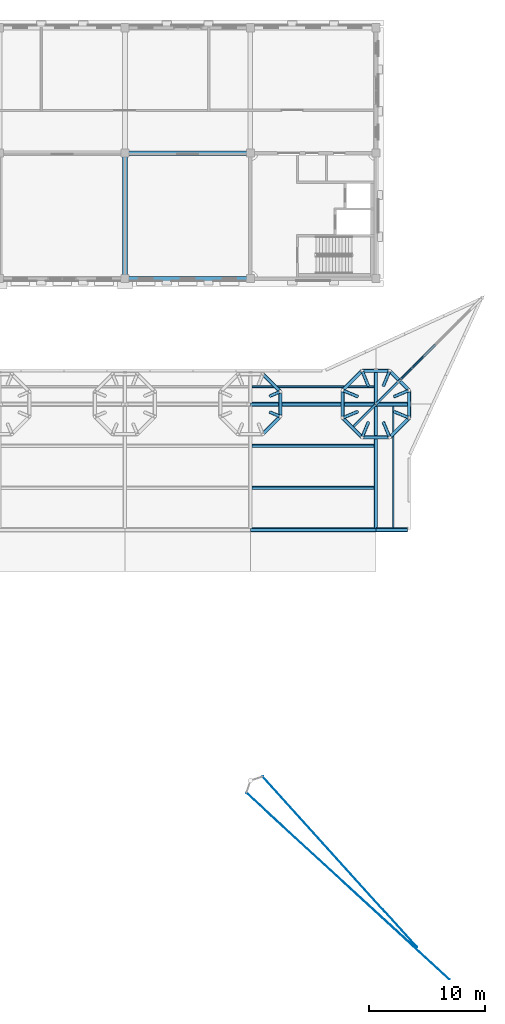
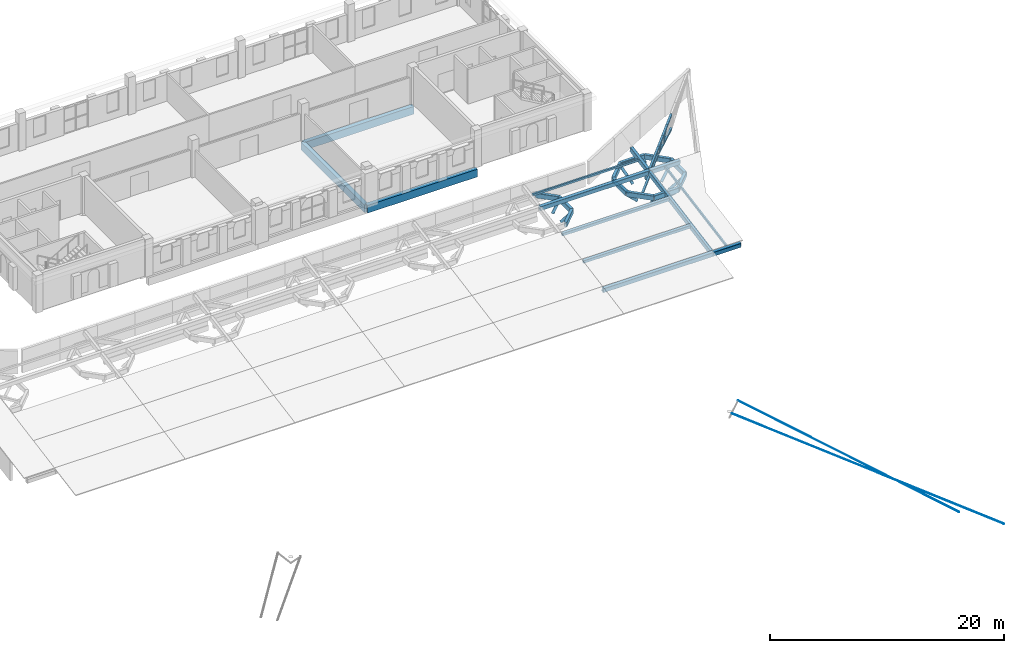
# One storey, part 6 of 32: 24 beams, 22 members.
"""IFC4 building model written with IfcOpenShell, lengths in metres."""

from ifc_helpers import new_model, si_unit, direction, frame, origin, origin_2d, place, context, subcontext, project, spatial, rectangle, hollow_rectangle, circle, hollow_circle, extrude, clip, halfspace, material, material_profile, profile_set, type_object, element, save


model = new_model("IFC4")

# Units and contexts
model_context = context("Model", 3, precision=1e-05, world=origin(), true_north=direction((0.0, 1.0)))
body_context = subcontext(model_context, "Body", "Model", "MODEL_VIEW")
ifc_project = project(units=[si_unit("LENGTHUNIT", "METRE"), si_unit("AREAUNIT", "SQUARE_METRE"), si_unit("VOLUMEUNIT", "CUBIC_METRE"), si_unit("PLANEANGLEUNIT", "RADIAN"), si_unit("MASSUNIT", "GRAM", prefix="KILO")], contexts=[model_context])

# Site, building, storey
site_placement = place(None, origin())
site = spatial("IfcSite", under=ifc_project, at=site_placement, CompositionType="ELEMENT")
building_placement = place(site_placement, origin())
building = spatial("IfcBuilding", under=site, at=building_placement, Name="Magnolia Steps Interchange", CompositionType="ELEMENT")
storey_placement = place(building_placement, frame((0.0, 0.0, 16.5)))
storey = spatial("IfcBuildingStorey", under=building, at=storey_placement, Name="L04", CompositionType="ELEMENT", Elevation=16.5)

# Members
ifc_material_1 = material(Name="Steel S690 galvanised spiral strand rope", Category="steel")
ifc_material_profile_1 = material_profile(ifc_material_1, circle(Radius=0.030029296875, at=origin_2d()), Name="CABLE60")
ifc_profile_set_1 = profile_set([ifc_material_profile_1], Name="Steel S690 galvanised spiral strand rope")
member_type_1 = type_object("IfcMemberType", Name="Cable stay CABLE60", PredefinedType="USERDEFINED", material=ifc_profile_set_1)
member_1_placement = place(storey_placement, frame((108.2607421875, 53.5537109375, 1.098876953125), z_axis=(0.628672593949, -0.695594687605, -0.347733806514), x_axis=(0.741893831984, 0.67051736895, 0.0)))
element("IfcMember", 1, at=member_1_placement, inside=storey, type_object=member_type_1, Name="Stay cable SP-H-SE-1", ObjectType="Cable stay", PredefinedType="USERDEFINED", context=body_context, shape_type="SweptSolid", body=[
    extrude(circle(Radius=0.030029296875, at=origin_2d()), origin(), (0.0, 0.0, 1.0), 21.133544921875),
])
member_2_placement = place(storey_placement, frame((106.846435546875, 52.139404296875, 1.098876953125), z_axis=(0.698993141847, -0.642513575462, -0.313982313193), x_axis=(0.676736953648, 0.736224894694, 0.0)))
element("IfcMember", 2, at=member_2_placement, inside=storey, type_object=member_type_1, Name="Stay cable SP-H-SE-2", ObjectType="Cable stay", PredefinedType="USERDEFINED", context=body_context, shape_type="SweptSolid", body=[
    extrude(circle(Radius=0.030029296875, at=origin_2d()), origin(), (0.0, 0.0, 1.0), 25.03662109375),
])

# Beams
ifc_material_2 = material(Name="Concrete C40", Category="concrete")
ifc_material_profile_2 = material_profile(ifc_material_2, rectangle(XDim=0.39990234375, YDim=0.800048828125, at=origin_2d()), Name="RC400x800")
ifc_profile_set_2 = profile_set([ifc_material_profile_2], Name="Concrete C40")
beam_type_1 = type_object("IfcBeamType", Name="RC beam 400x800", PredefinedType="BEAM", material=ifc_profile_set_2)
for number, where, z_axis, x_axis, name in (
    (3, (96.39990234375, 96.39990234375, -0.699951171875), (1.0, 0.0, 0.0), (0.0, 1.0, 0.0), "Beam L04 I 9-10"),
    (4, (96.39990234375, 107.199951171875, -0.699951171875), (1.0, 0.0, 0.0), (0.0, 1.0, 0.0), "Beam L04 J 9-10"),
    (5, (96.39990234375, 96.39990234375, -0.699951171875), (0.0, 1.0, 0.0), (-1.0, 0.0, 0.0), "Beam L04 9 I-J"),
):
    element("IfcBeam", number, at=place(storey_placement, frame(where, z_axis=z_axis, x_axis=x_axis)), inside=storey, type_object=beam_type_1, Name=name, PredefinedType="BEAM", context=body_context, shape_type="SweptSolid", body=[
        extrude(rectangle(XDim=0.39990234375, YDim=0.800048828125, at=origin_2d()), origin(), (0.0, 0.0, 1.0), 10.800048828125),
    ])
ifc_material_3 = material(Name="Steel Q355B", Category="steel")
ifc_material_profile_3 = material_profile(ifc_material_3, hollow_rectangle(XDim=0.300048828125, YDim=0.5, WallThickness=0.01611328125, InnerFilletRadius=0.01611328125, OuterFilletRadius=0.031982421875, at=origin_2d()), Name="RHS500x300x16")
ifc_profile_set_3 = profile_set([ifc_material_profile_3], Name="Steel Q355B")
beam_type_2 = type_object("IfcBeamType", Name="Ring beam RHS500x300x16", PredefinedType="BEAM", material=ifc_profile_set_3)
for number, where, z_axis, x_axis, name in (
    (6, (109.780029296875, 86.668701171875, 1.55126953125), (-0.707106781187, 0.707106781187, 0.0), (-0.707106781187, -0.707106781187, 0.0), "Ring beam TH06E"),
    (7, (108.268798828125, 83.02001953125, 1.55126953125), (0.707106781187, 0.707106781187, 0.0), (-0.707106781187, 0.707106781187, 0.0), "Ring beam TH06E"),
):
    element("IfcBeam", number, at=place(storey_placement, frame(where, z_axis=z_axis, x_axis=x_axis)), inside=storey, type_object=beam_type_2, Name=name, PredefinedType="BEAM", context=body_context, shape_type="Clipping", body=[
        clip(clip(extrude(hollow_rectangle(XDim=0.300048828125, YDim=0.5, WallThickness=0.01611328125, InnerFilletRadius=0.01611328125, OuterFilletRadius=0.031982421875, at=origin_2d()), origin(), (0.0, 0.0, 1.0), 2.13720703125), halfspace(frame((0.0, 0.0, 0.0), z_axis=(0.382683433, 0.0, -0.923879532), x_axis=(0.923879532, 0.0, 0.382683433)), False)), halfspace(frame((0.0, 0.0, 2.137202625), z_axis=(0.382683433, 0.0, 0.923879532), x_axis=(0.923879532, 0.0, -0.382683433)), False)),
    ])
beam_1_placement = place(storey_placement, frame((109.780029296875, 84.53125, 1.55126953125), z_axis=(0.0, 1.0, 0.0), x_axis=(-1.0, 0.0, 0.0)))
element("IfcBeam", 8, at=beam_1_placement, inside=storey, type_object=beam_type_2, Name="Ring beam TH06E", PredefinedType="BEAM", context=body_context, shape_type="Clipping", body=[
    clip(clip(extrude(hollow_rectangle(XDim=0.300048828125, YDim=0.5, WallThickness=0.01611328125, InnerFilletRadius=0.01611328125, OuterFilletRadius=0.031982421875, at=origin_2d()), origin(), (0.0, 0.0, 1.0), 2.137451171875), halfspace(frame((0.0, 0.0, 0.0), z_axis=(0.382683432, 0.0, -0.923879533), x_axis=(0.923879533, 0.0, 0.382683432)), False)), halfspace(frame((0.0, 0.0, 2.137451172), z_axis=(0.382683432, 0.0, 0.923879533), x_axis=(0.923879533, 0.0, -0.382683432)), False)),
])
beam_2_placement = place(storey_placement, frame((120.864013671875, 86.786376953125, 1.55126953125), z_axis=(-0.707106781187, 0.707106781187, 0.0), x_axis=(-0.707106781187, -0.707106781187, 0.0)))
element("IfcBeam", 9, at=beam_2_placement, inside=storey, type_object=beam_type_2, Name="Ring beam TH07E", PredefinedType="BEAM", context=body_context, shape_type="Clipping", body=[
    clip(clip(extrude(hollow_rectangle(XDim=0.300048828125, YDim=0.5, WallThickness=0.01611328125, InnerFilletRadius=0.01611328125, OuterFilletRadius=0.031982421875, at=origin_2d()), origin(), (0.0, 0.0, 1.0), 2.37255859375), halfspace(frame((0.0, 0.0, 0.0), z_axis=(0.382683433, 0.0, -0.923879532), x_axis=(0.923879532, 0.0, 0.382683433)), False)), halfspace(frame((0.0, 0.0, 2.372674707), z_axis=(0.382683433, 0.0, 0.923879532), x_axis=(0.923879532, 0.0, -0.382683433)), False)),
])
beam_3_placement = place(storey_placement, frame((119.186279296875, 88.464111328125, 1.55126953125), z_axis=(-1.0, 0.0, 0.0), x_axis=(0.0, -1.0, 0.0)))
element("IfcBeam", 10, at=beam_3_placement, inside=storey, type_object=beam_type_2, Name="Ring beam TH07E", PredefinedType="BEAM", context=body_context, shape_type="Clipping", body=[
    clip(clip(extrude(hollow_rectangle(XDim=0.300048828125, YDim=0.5, WallThickness=0.01611328125, InnerFilletRadius=0.01611328125, OuterFilletRadius=0.031982421875, at=origin_2d()), origin(), (0.0, 0.0, 1.0), 2.37255859375), halfspace(frame((0.0, 0.0, 0.0), z_axis=(0.382683432, 0.0, -0.923879533), x_axis=(0.923879533, 0.0, 0.382683432)), False)), halfspace(frame((0.0, 0.0, 2.372558594), z_axis=(0.382683432, 0.0, 0.923879533), x_axis=(0.923879533, 0.0, -0.382683432)), False)),
])
beam_4_placement = place(storey_placement, frame((116.813720703125, 88.464111328125, 1.55126953125), z_axis=(-0.707106781187, -0.707106781187, 0.0), x_axis=(0.707106781187, -0.707106781187, 0.0)))
element("IfcBeam", 11, at=beam_4_placement, inside=storey, type_object=beam_type_2, Name="Ring beam TH07E", PredefinedType="BEAM", context=body_context, shape_type="Clipping", body=[
    clip(clip(extrude(hollow_rectangle(XDim=0.300048828125, YDim=0.5, WallThickness=0.01611328125, InnerFilletRadius=0.01611328125, OuterFilletRadius=0.031982421875, at=origin_2d()), origin(), (0.0, 0.0, 1.0), 2.37255859375), halfspace(frame((0.0, 0.0, 0.0), z_axis=(0.382683433, 0.0, -0.923879532), x_axis=(0.923879532, 0.0, 0.382683433)), False)), halfspace(frame((0.0, 0.0, 2.372674707), z_axis=(0.382683433, 0.0, 0.923879532), x_axis=(0.923879532, 0.0, -0.382683433)), False)),
])
beam_5_placement = place(storey_placement, frame((115.135986328125, 86.786376953125, 1.55126953125), z_axis=(0.0, -1.0, 0.0), x_axis=(1.0, 0.0, 0.0)))
element("IfcBeam", 12, at=beam_5_placement, inside=storey, type_object=beam_type_2, Name="Ring beam TH07E", PredefinedType="BEAM", context=body_context, shape_type="Clipping", body=[
    clip(clip(extrude(hollow_rectangle(XDim=0.300048828125, YDim=0.5, WallThickness=0.01611328125, InnerFilletRadius=0.01611328125, OuterFilletRadius=0.031982421875, at=origin_2d()), origin(), (0.0, 0.0, 1.0), 2.37255859375), halfspace(frame((0.0, 0.0, 0.0), z_axis=(0.382683432, 0.0, -0.923879533), x_axis=(0.923879533, 0.0, 0.382683432)), False)), halfspace(frame((0.0, 0.0, 2.372558594), z_axis=(0.382683432, 0.0, 0.923879533), x_axis=(0.923879533, 0.0, -0.382683432)), False)),
])
beam_6_placement = place(storey_placement, frame((115.135986328125, 84.413818359375, 1.55126953125), z_axis=(0.707106781187, -0.707106781187, 0.0), x_axis=(0.707106781187, 0.707106781187, 0.0)))
element("IfcBeam", 13, at=beam_6_placement, inside=storey, type_object=beam_type_2, Name="Ring beam TH07E", PredefinedType="BEAM", context=body_context, shape_type="Clipping", body=[
    clip(clip(extrude(hollow_rectangle(XDim=0.300048828125, YDim=0.5, WallThickness=0.01611328125, InnerFilletRadius=0.01611328125, OuterFilletRadius=0.031982421875, at=origin_2d()), origin(), (0.0, 0.0, 1.0), 2.37255859375), halfspace(frame((0.0, 0.0, 0.0), z_axis=(0.382683433, 0.0, -0.923879532), x_axis=(0.923879532, 0.0, 0.382683433)), False)), halfspace(frame((0.0, 0.0, 2.372674707), z_axis=(0.382683433, 0.0, 0.923879532), x_axis=(0.923879532, 0.0, -0.382683433)), False)),
])
beam_7_placement = place(storey_placement, frame((116.813720703125, 82.736083984375, 1.55126953125), z_axis=(1.0, 0.0, 0.0), x_axis=(0.0, 1.0, 0.0)))
element("IfcBeam", 14, at=beam_7_placement, inside=storey, type_object=beam_type_2, Name="Ring beam TH07E", PredefinedType="BEAM", context=body_context, shape_type="Clipping", body=[
    clip(clip(extrude(hollow_rectangle(XDim=0.300048828125, YDim=0.5, WallThickness=0.01611328125, InnerFilletRadius=0.01611328125, OuterFilletRadius=0.031982421875, at=origin_2d()), origin(), (0.0, 0.0, 1.0), 2.37255859375), halfspace(frame((0.0, 0.0, 0.0), z_axis=(0.382683432, 0.0, -0.923879533), x_axis=(0.923879533, 0.0, 0.382683432)), False)), halfspace(frame((0.0, 0.0, 2.372558594), z_axis=(0.382683432, 0.0, 0.923879533), x_axis=(0.923879533, 0.0, -0.382683432)), False)),
])
beam_8_placement = place(storey_placement, frame((119.186279296875, 82.736083984375, 1.55126953125), z_axis=(0.707106781187, 0.707106781187, 0.0), x_axis=(-0.707106781187, 0.707106781187, 0.0)))
element("IfcBeam", 15, at=beam_8_placement, inside=storey, type_object=beam_type_2, Name="Ring beam TH07E", PredefinedType="BEAM", context=body_context, shape_type="Clipping", body=[
    clip(clip(extrude(hollow_rectangle(XDim=0.300048828125, YDim=0.5, WallThickness=0.01611328125, InnerFilletRadius=0.01611328125, OuterFilletRadius=0.031982421875, at=origin_2d()), origin(), (0.0, 0.0, 1.0), 2.37255859375), halfspace(frame((0.0, 0.0, 0.0), z_axis=(0.382683433, 0.0, -0.923879532), x_axis=(0.923879532, 0.0, 0.382683433)), False)), halfspace(frame((0.0, 0.0, 2.372674707), z_axis=(0.382683433, 0.0, 0.923879532), x_axis=(0.923879532, 0.0, -0.382683433)), False)),
])
beam_9_placement = place(storey_placement, frame((120.864013671875, 84.413818359375, 1.55126953125), z_axis=(0.0, 1.0, 0.0), x_axis=(-1.0, 0.0, 0.0)))
element("IfcBeam", 16, at=beam_9_placement, inside=storey, type_object=beam_type_2, Name="Ring beam TH07E", PredefinedType="BEAM", context=body_context, shape_type="Clipping", body=[
    clip(clip(extrude(hollow_rectangle(XDim=0.300048828125, YDim=0.5, WallThickness=0.01611328125, InnerFilletRadius=0.01611328125, OuterFilletRadius=0.031982421875, at=origin_2d()), origin(), (0.0, 0.0, 1.0), 2.37255859375), halfspace(frame((0.0, 0.0, 0.0), z_axis=(0.382683432, 0.0, -0.923879533), x_axis=(0.923879533, 0.0, 0.382683432)), False)), halfspace(frame((0.0, 0.0, 2.372558594), z_axis=(0.382683432, 0.0, 0.923879533), x_axis=(0.923879533, 0.0, -0.382683432)), False)),
])
ifc_material_4 = material(Name="Steel Q355B", Category="steel")
ifc_material_profile_4 = material_profile(ifc_material_4, hollow_rectangle(XDim=0.300048828125, YDim=0.5, WallThickness=0.01611328125, InnerFilletRadius=0.01611328125, OuterFilletRadius=0.031982421875, at=origin_2d()), Name="RHS500x300x16")
ifc_profile_set_4 = profile_set([ifc_material_profile_4], Name="Steel Q355B")
beam_type_3 = type_object("IfcBeamType", Name="Roof beam RHS500x300x16", PredefinedType="BEAM", material=ifc_profile_set_4)
beam_10_placement = place(storey_placement, frame((107.199951171875, 74.800048828125, 0.119873046875), z_axis=(1.0, 0.0, 0.0), x_axis=(0.0, 0.98367737698, 0.17994115154)))
element("IfcBeam", 17, at=beam_10_placement, inside=storey, type_object=beam_type_3, Name="Roof beam", PredefinedType="BEAM", context=body_context, shape_type="SweptSolid", body=[
    extrude(hollow_rectangle(XDim=0.300048828125, YDim=0.5, WallThickness=0.01611328125, InnerFilletRadius=0.01611328125, OuterFilletRadius=0.031982421875, at=origin_2d()), origin(), (0.0, 0.0, 1.0), 10.800048828125),
])
beam_11_placement = place(storey_placement, frame((118.0, 74.800048828125, 0.119873046875), z_axis=(1.0, 0.0, 0.0), x_axis=(0.0, 0.98367737698, 0.17994115154)))
element("IfcBeam", 18, at=beam_11_placement, inside=storey, type_object=beam_type_3, Name="Roof beam", PredefinedType="BEAM", context=body_context, shape_type="SweptSolid", body=[
    extrude(hollow_rectangle(XDim=0.300048828125, YDim=0.5, WallThickness=0.01611328125, InnerFilletRadius=0.01611328125, OuterFilletRadius=0.031982421875, at=origin_2d()), origin(), (0.0, 0.0, 1.0), 2.739990234375),
])
beam_12_placement = place(storey_placement, frame((107.199951171875, 85.60009765625, 2.095458984375), z_axis=(1.0, 0.0, 0.0), x_axis=(0.0, 0.98367737698, 0.17994115154)))
element("IfcBeam", 19, at=beam_12_placement, inside=storey, type_object=beam_type_3, Name="Roof beam", PredefinedType="BEAM", context=body_context, shape_type="SweptSolid", body=[
    extrude(hollow_rectangle(XDim=0.300048828125, YDim=0.5, WallThickness=0.01611328125, InnerFilletRadius=0.01611328125, OuterFilletRadius=0.031982421875, at=origin_2d()), origin(), (0.0, 0.0, 1.0), 10.800048828125),
])
beam_13_placement = place(storey_placement, frame((118.0, 85.60009765625, 2.095458984375), z_axis=(1.0, 0.0, 0.0), x_axis=(0.0, 0.98367737698, 0.17994115154)))
element("IfcBeam", 20, at=beam_13_placement, inside=storey, type_object=beam_type_3, Name="Roof beam", PredefinedType="BEAM", context=body_context, shape_type="SweptSolid", body=[
    extrude(hollow_rectangle(XDim=0.300048828125, YDim=0.5, WallThickness=0.01611328125, InnerFilletRadius=0.01611328125, OuterFilletRadius=0.031982421875, at=origin_2d()), origin(), (0.0, 0.0, 1.0), 3.0),
])
beam_14_placement = place(storey_placement, frame((118.0, 74.949951171875, 0.147216796875), z_axis=(0.0, 0.98367464182, 0.179956103093), x_axis=(-1.0, 0.0, 0.0)))
element("IfcBeam", 21, at=beam_14_placement, inside=storey, type_object=beam_type_3, Name="Roof beam", PredefinedType="BEAM", context=body_context, shape_type="SweptSolid", body=[
    extrude(hollow_rectangle(XDim=0.300048828125, YDim=0.5, WallThickness=0.01611328125, InnerFilletRadius=0.01611328125, OuterFilletRadius=0.031982421875, at=origin_2d()), origin(), (0.0, 0.0, 1.0), 10.67431640625),
])
beam_15_placement = place(storey_placement, frame((118.0, 85.75, 2.122802734375), z_axis=(0.0, 0.983669766621, 0.179982749829), x_axis=(-1.0, 0.0, 0.0)))
element("IfcBeam", 22, at=beam_15_placement, inside=storey, type_object=beam_type_3, Name="Roof beam", PredefinedType="BEAM", context=body_context, shape_type="SweptSolid", body=[
    extrude(hollow_rectangle(XDim=0.300048828125, YDim=0.5, WallThickness=0.01611328125, InnerFilletRadius=0.01611328125, OuterFilletRadius=0.031982421875, at=origin_2d()), origin(), (0.0, 0.0, 1.0), 2.8974609375),
])
ifc_material_5 = material(Name="Steel Q355B", Category="steel")
ifc_material_profile_5 = material_profile(ifc_material_5, hollow_rectangle(XDim=0.14990234375, YDim=0.25, WallThickness=0.008056640625, InnerFilletRadius=0.008056640625, OuterFilletRadius=0.01611328125, at=origin_2d()), Name="RHS250x150x8")
ifc_profile_set_5 = profile_set([ifc_material_profile_5], Name="Steel Q355B")
beam_type_4 = type_object("IfcBeamType", Name="Roof edge joist RHS250x150x8", PredefinedType="BEAM", material=ifc_profile_set_5)
beam_16_placement = place(storey_placement, frame((107.35009765625, 87.10009765625, 2.496826171875), z_axis=(1.0, 0.0, 0.0), x_axis=(0.0, 0.98367737698, 0.17994115154)))
element("IfcBeam", 23, at=beam_16_placement, inside=storey, type_object=beam_type_4, Name="Roof edge joist", PredefinedType="BEAM", context=body_context, shape_type="SweptSolid", body=[
    extrude(hollow_rectangle(XDim=0.14990234375, YDim=0.25, WallThickness=0.008056640625, InnerFilletRadius=0.008056640625, OuterFilletRadius=0.01611328125, at=origin_2d()), origin(), (0.0, 0.0, 1.0), 10.5),
])
beam_17_placement = place(storey_placement, frame((119.5, 74.949951171875, 0.2744140625), z_axis=(0.0, 0.983678690331, 0.179933971746), x_axis=(-1.0, 0.0, 0.0)))
element("IfcBeam", 24, at=beam_17_placement, inside=storey, type_object=beam_type_4, Name="Roof edge joist", PredefinedType="BEAM", context=body_context, shape_type="SweptSolid", body=[
    extrude(hollow_rectangle(XDim=0.14990234375, YDim=0.25, WallThickness=0.008056640625, InnerFilletRadius=0.008056640625, OuterFilletRadius=0.01611328125, at=origin_2d()), origin(), (0.0, 0.0, 1.0), 10.67431640625),
])
ifc_material_6 = material(Name="Steel Q355B", Category="steel")
ifc_material_profile_6 = material_profile(ifc_material_6, hollow_rectangle(XDim=0.25, YDim=0.35009765625, WallThickness=0.011962890625, InnerFilletRadius=0.011962890625, OuterFilletRadius=0.02392578125, at=origin_2d()), Name="RHS350x250x12")
ifc_profile_set_6 = profile_set([ifc_material_profile_6], Name="Steel Q355B")
beam_type_5 = type_object("IfcBeamType", Name="Roof joist RHS350x250x12", PredefinedType="BEAM", material=ifc_profile_set_6)
for number, where, z_axis, x_axis, name in (
    (25, (107.35009765625, 78.39990234375, 0.8544921875), (1.0, 0.0, 0.0), (0.0, 0.98367737698, 0.17994115154), "Roof joist"),
    (26, (107.35009765625, 82.0, 1.51318359375), (1.0, 0.0, 0.0), (0.0, 0.98367737698, 0.17994115154), "Roof joist"),
):
    element("IfcBeam", number, at=place(storey_placement, frame(where, z_axis=z_axis, x_axis=x_axis)), inside=storey, type_object=beam_type_5, Name=name, PredefinedType="BEAM", context=body_context, shape_type="SweptSolid", body=[
        extrude(hollow_rectangle(XDim=0.25, YDim=0.35009765625, WallThickness=0.011962890625, InnerFilletRadius=0.011962890625, OuterFilletRadius=0.02392578125, at=origin_2d()), origin(), (0.0, 0.0, 1.0), 10.5),
    ])

# Members
ifc_material_7 = material(Name="Steel Q355B", Category="steel")
ifc_material_profile_7 = material_profile(ifc_material_7, hollow_rectangle(XDim=0.199951171875, YDim=0.300048828125, WallThickness=0.011962890625, InnerFilletRadius=0.011962890625, OuterFilletRadius=0.02392578125, at=origin_2d()), Name="RHS300x200x12")
ifc_profile_set_7 = profile_set([ifc_material_profile_7], Name="Steel Q355B")
member_type_2 = type_object("IfcMemberType", Name="Roof truss RHS300x200x12", PredefinedType="USERDEFINED", material=ifc_profile_set_7)
member_3_placement = place(storey_placement, frame((118.0, 85.60009765625, 2.197021484375), z_axis=(0.701262972674, 0.701262972674, 0.12829842678), x_axis=(-0.712902688306, 0.689816521651, 0.126186066834)))
element("IfcMember", 27, at=member_3_placement, inside=storey, type_object=member_type_2, Name="Spike truss SP-H-NE top chord", ObjectType="Roof truss", PredefinedType="USERDEFINED", context=body_context, shape_type="SweptSolid", body=[
    extrude(hollow_rectangle(XDim=0.199951171875, YDim=0.300048828125, WallThickness=0.011962890625, InnerFilletRadius=0.011962890625, OuterFilletRadius=0.02392578125, at=origin_2d()), origin(), (0.0, 0.0, 1.0), 3.0390625),
])
for number, where, z_axis, x_axis, name in (
    (28, (120.131103515625, 87.731201171875, 2.5869140625), (0.70125708406, 0.70125708406, 0.1283627832), (-0.71290847849, 0.689810731467, 0.12618500723), "Spike truss SP-H-NE top chord"),
    (29, (121.124755859375, 88.724853515625, 2.768798828125), (0.701272583716, 0.701272583716, 0.128193317515), (-0.712893231565, 0.689825978392, 0.126187796256), "Spike truss SP-H-NE top chord"),
):
    element("IfcMember", number, at=place(storey_placement, frame(where, z_axis=z_axis, x_axis=x_axis)), inside=storey, type_object=member_type_2, Name=name, ObjectType="Roof truss", PredefinedType="USERDEFINED", context=body_context, shape_type="SweptSolid", body=[
        extrude(hollow_rectangle(XDim=0.199951171875, YDim=0.300048828125, WallThickness=0.011962890625, InnerFilletRadius=0.011962890625, OuterFilletRadius=0.02392578125, at=origin_2d()), origin(), (0.0, 0.0, 1.0), 1.4169921875),
    ])
member_4_placement = place(storey_placement, frame((122.118408203125, 89.718505859375, 2.950439453125), z_axis=(0.701357324315, 0.701185000648, 0.12820880818), x_axis=(-0.712809864442, 0.689912169433, 0.12618754147)))
element("IfcMember", 30, at=member_4_placement, inside=storey, type_object=member_type_2, Name="Spike truss SP-H-NE top chord", ObjectType="Roof truss", PredefinedType="USERDEFINED", context=body_context, shape_type="SweptSolid", body=[
    extrude(hollow_rectangle(XDim=0.199951171875, YDim=0.300048828125, WallThickness=0.011962890625, InnerFilletRadius=0.011962890625, OuterFilletRadius=0.02392578125, at=origin_2d()), origin(), (0.0, 0.0, 1.0), 1.416748046875),
])
member_5_placement = place(storey_placement, frame((116.080810546875, 83.680908203125, 1.24609375), z_axis=(0.701290497066, 0.701245891387, 0.128241329288), x_axis=(-0.712875612052, 0.689844331091, 0.12618700647)))
element("IfcMember", 31, at=member_5_placement, inside=storey, type_object=member_type_2, Name="Spike truss SP-H-NE bottom chord", ObjectType="Roof truss", PredefinedType="USERDEFINED", context=body_context, shape_type="SweptSolid", body=[
    extrude(hollow_rectangle(XDim=0.199951171875, YDim=0.300048828125, WallThickness=0.011962890625, InnerFilletRadius=0.011962890625, OuterFilletRadius=0.02392578125, at=origin_2d()), origin(), (0.0, 0.0, 1.0), 5.473388671875),
])
for number, where, z_axis, x_axis, name in (
    (32, (120.131103515625, 87.731201171875, 1.98681640625), (0.705354227493, 0.705354227493, -0.070362117042), (-0.694672358524, 0.707584479806, 0.129439245363), "Spike truss SP-H-NE bottom chord"),
    (33, (121.124755859375, 88.724853515625, 1.8876953125), (0.705345615859, 0.705345615859, -0.070534561586), (-0.694656535913, 0.707600302417, 0.129437665046), "Spike truss SP-H-NE bottom chord"),
):
    element("IfcMember", number, at=place(storey_placement, frame(where, z_axis=z_axis, x_axis=x_axis)), inside=storey, type_object=member_type_2, Name=name, ObjectType="Roof truss", PredefinedType="USERDEFINED", context=body_context, shape_type="SweptSolid", body=[
        extrude(hollow_rectangle(XDim=0.199951171875, YDim=0.300048828125, WallThickness=0.011962890625, InnerFilletRadius=0.011962890625, OuterFilletRadius=0.02392578125, at=origin_2d()), origin(), (0.0, 0.0, 1.0), 1.40869140625),
    ])
member_6_placement = place(storey_placement, frame((122.118408203125, 89.718505859375, 1.788330078125), z_axis=(0.70544045656, 0.705267129667, -0.070370718763), x_axis=(-0.694584626415, 0.707670614687, 0.129439166627)))
element("IfcMember", 34, at=member_6_placement, inside=storey, type_object=member_type_2, Name="Spike truss SP-H-NE bottom chord", ObjectType="Roof truss", PredefinedType="USERDEFINED", context=body_context, shape_type="SweptSolid", body=[
    extrude(hollow_rectangle(XDim=0.199951171875, YDim=0.300048828125, WallThickness=0.011962890625, InnerFilletRadius=0.011962890625, OuterFilletRadius=0.02392578125, at=origin_2d()), origin(), (0.0, 0.0, 1.0), 1.408447265625),
])
ifc_material_8 = material(Name="Steel Q355B", Category="steel")
ifc_material_profile_8 = material_profile(ifc_material_8, hollow_circle(Radius=0.083984375, WallThickness=0.008056640625, at=origin_2d()), Name="CHS168x8")
ifc_profile_set_8 = profile_set([ifc_material_profile_8], Name="Steel Q355B")
member_type_3 = type_object("IfcMemberType", Name="Roof truss diagonal CHS168x8", PredefinedType="USERDEFINED", material=ifc_profile_set_8)
member_7_placement = place(storey_placement, frame((120.131103515625, 87.731201171875, 1.98681640625), z_axis=(0.617880577408, 0.617880577408, 0.486258351213), x_axis=(-0.747492238714, 0.653428759214, 0.119524933364)))
element("IfcMember", 35, at=member_7_placement, inside=storey, type_object=member_type_3, Name="Spike truss SP-H-NE diagonal", ObjectType="Roof truss diagonal", PredefinedType="USERDEFINED", context=body_context, shape_type="SweptSolid", body=[
    extrude(hollow_circle(Radius=0.083984375, WallThickness=0.008056640625, at=origin_2d()), origin(), (0.0, 0.0, 1.0), 1.608154296875),
])
member_8_placement = place(storey_placement, frame((121.124755859375, 88.724853515625, 1.8876953125), z_axis=(0.563982405053, 0.563982405053, 0.603197889238), x_axis=(-0.761848210331, 0.6371818668, 0.116561456047)))
element("IfcMember", 36, at=member_8_placement, inside=storey, type_object=member_type_3, Name="Spike truss SP-H-NE diagonal", ObjectType="Roof truss diagonal", PredefinedType="USERDEFINED", context=body_context, shape_type="SweptSolid", body=[
    extrude(hollow_circle(Radius=0.083984375, WallThickness=0.008056640625, at=origin_2d()), origin(), (0.0, 0.0, 1.0), 1.761962890625),
])
ifc_material_9 = material(Name="Steel Q355B", Category="steel")
ifc_material_profile_9 = material_profile(ifc_material_9, hollow_circle(Radius=0.136474609375, WallThickness=0.013916015625, at=origin_2d()), Name="CHS273x14")
ifc_profile_set_9 = profile_set([ifc_material_profile_9], Name="Steel Q355B")
member_type_4 = type_object("IfcMemberType", Name="Tree rib CHS273x14", PredefinedType="USERDEFINED", material=ifc_profile_set_9)
for number, where, z_axis, x_axis, name in (
    (37, (108.9052734375, 86.306396484375, 0.48681640625), (0.664600057379, 0.275262764485, 0.694648957546), (-0.382655437784, 0.92389112775, 0.0), "Tree rib TH06E"),
    (38, (108.9052734375, 84.893798828125, 0.48681640625), (0.664566115613, -0.275434184115, 0.694613481153), (0.382875502946, 0.923799950879, 0.0), "Tree rib TH06E"),
):
    element("IfcMember", number, at=place(storey_placement, frame(where, z_axis=z_axis, x_axis=x_axis)), inside=storey, type_object=member_type_4, Name=name, ObjectType="TREE RIB", PredefinedType="USERDEFINED", context=body_context, shape_type="SweptSolid", body=[
        extrude(hollow_circle(Radius=0.136474609375, WallThickness=0.013916015625, at=origin_2d()), origin(), (0.0, 0.0, 1.0), 1.316162109375),
    ])
for number, where, z_axis, x_axis, name in (
    (39, (119.596435546875, 86.26123046875, 0.076171875), (0.664571439163, 0.275326110485, 0.694651232731), (-0.382744666971, 0.923854165929, 0.0), "Tree rib TH07E"),
    (40, (118.661376953125, 87.1962890625, 0.076171875), (0.275184396668, 0.66466631251, 0.694616614287), (-0.923943118082, 0.382529887132, 0.0), "Tree rib TH07E"),
    (41, (117.338623046875, 87.1962890625, 0.076171875), (-0.275184396668, 0.66466631251, 0.694616614287), (-0.923943118082, -0.382529887132, 0.0), "Tree rib TH07E"),
    (42, (116.403564453125, 86.26123046875, 0.076171875), (-0.664571439163, 0.275326110485, 0.694651232731), (-0.382744666971, -0.923854165929, 0.0), "Tree rib TH07E"),
):
    element("IfcMember", number, at=place(storey_placement, frame(where, z_axis=z_axis, x_axis=x_axis)), inside=storey, type_object=member_type_4, Name=name, ObjectType="TREE RIB", PredefinedType="USERDEFINED", context=body_context, shape_type="SweptSolid", body=[
        extrude(hollow_circle(Radius=0.136474609375, WallThickness=0.013916015625, at=origin_2d()), origin(), (0.0, 0.0, 1.0), 1.907470703125),
    ])
for number, where, z_axis, x_axis, name in (
    (43, (116.403564453125, 84.938720703125, 0.076171875), (-0.664594855451, -0.275207808016, 0.694675708885), (0.382592780202, -0.923917076656, 0.0), "Tree rib TH07E"),
    (44, (117.338623046875, 84.003662109375, 0.076171875), (-0.275207808016, -0.664594855451, 0.694675708885), (0.923917076656, -0.382592780202, 0.0), "Tree rib TH07E"),
    (45, (118.661376953125, 84.003662109375, 0.076171875), (0.275207808016, -0.664594855451, 0.694675708885), (0.923917076656, 0.382592780202, 0.0), "Tree rib TH07E"),
    (46, (119.596435546875, 84.938720703125, 0.076171875), (0.664594855451, -0.275207808016, 0.694675708885), (0.382592780202, 0.923917076656, 0.0), "Tree rib TH07E"),
):
    element("IfcMember", number, at=place(storey_placement, frame(where, z_axis=z_axis, x_axis=x_axis)), inside=storey, type_object=member_type_4, Name=name, ObjectType="TREE RIB", PredefinedType="USERDEFINED", context=body_context, shape_type="SweptSolid", body=[
        extrude(hollow_circle(Radius=0.136474609375, WallThickness=0.013916015625, at=origin_2d()), origin(), (0.0, 0.0, 1.0), 1.9072265625),
    ])

save(model, "model.ifc")
